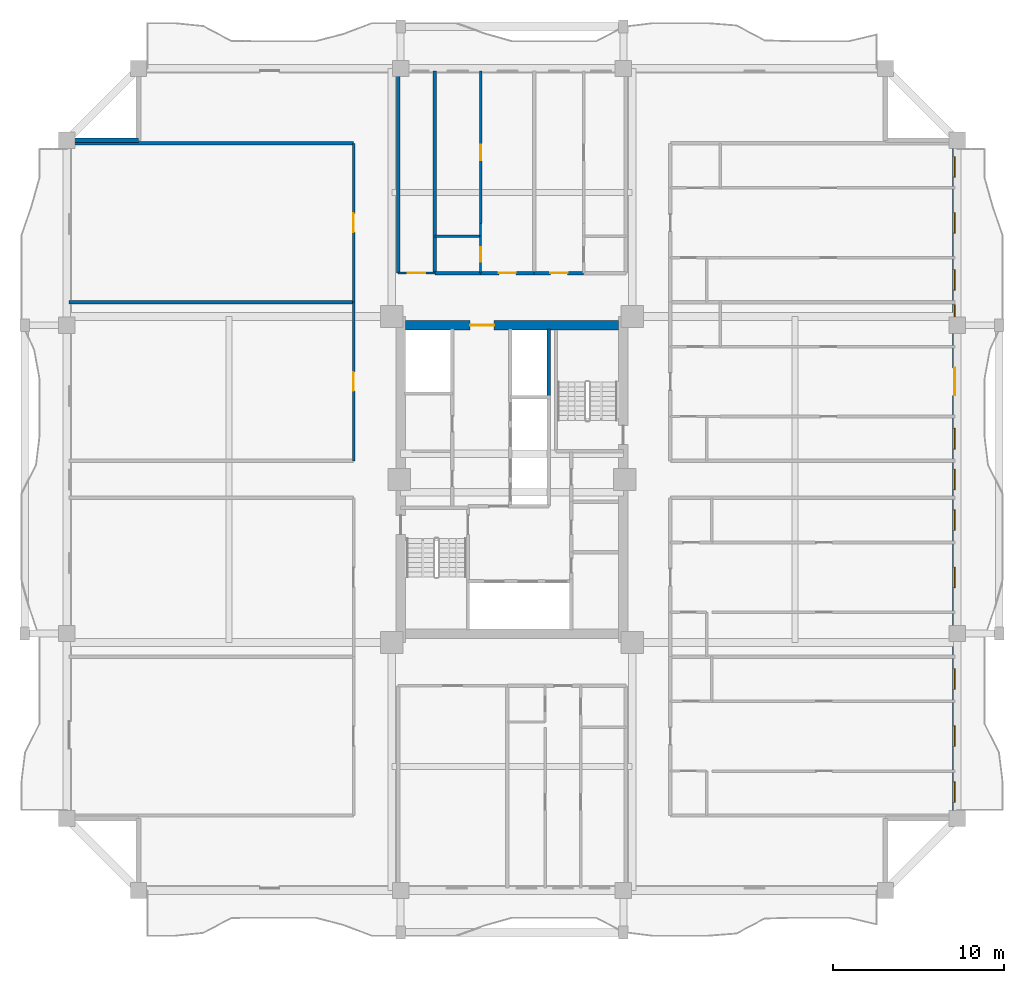
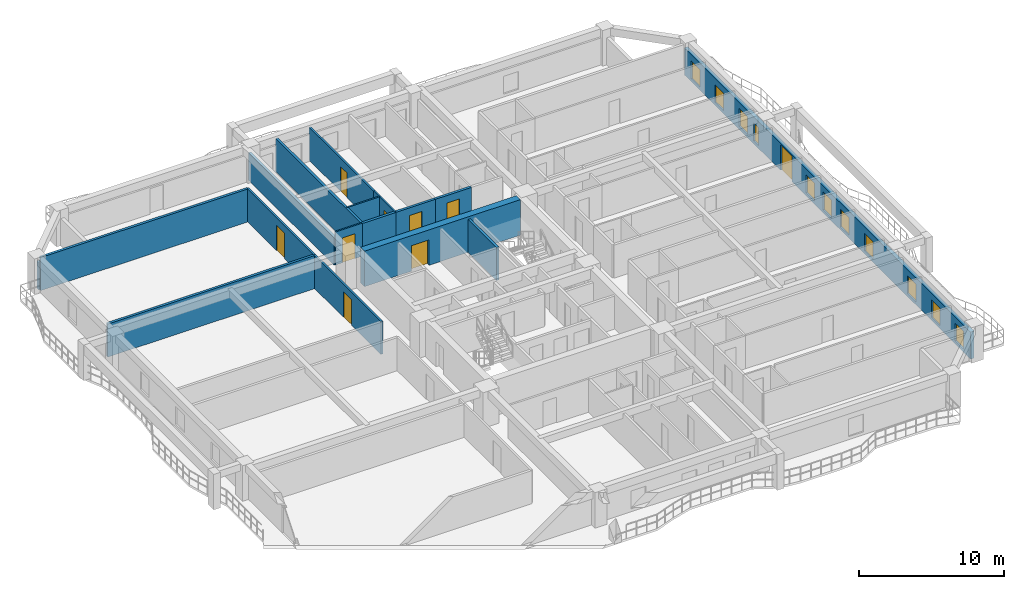
# One storey, part 5 of 12: 18 walls, 11 windows, 9 doors, 20 openings.
"""IFC4 building model written with IfcOpenShell, lengths in metres."""

from ifc_helpers import new_model, si_unit, direction, frame, frame_2d, origin, place, context, subcontext, project, spatial, rectangle, extrude, source, transform, mapped, material, layer, layer_set, type_object, element, fill, save


model = new_model("IFC4")

# Units and contexts
model_context = context("Model", 3, precision=1e-05, world=origin(), true_north=direction((0.0, 1.0)))
body_context = subcontext(model_context, "Body", "Model", "MODEL_VIEW")
ifc_project = project(units=[si_unit("LENGTHUNIT", "METRE"), si_unit("AREAUNIT", "SQUARE_METRE"), si_unit("VOLUMEUNIT", "CUBIC_METRE"), si_unit("PLANEANGLEUNIT", "RADIAN"), si_unit("MASSUNIT", "GRAM", prefix="KILO")], contexts=[model_context])

# Site, building, storey
site_placement = place(None, origin())
site = spatial("IfcSite", under=ifc_project, at=site_placement, CompositionType="ELEMENT")
building_placement = place(site_placement, origin())
building = spatial("IfcBuilding", under=site, at=building_placement, Name="Saelheon Loggia Tower", CompositionType="ELEMENT")
storey_placement = place(building_placement, frame((0.0, 0.0, 95.85009765625)))
storey = spatial("IfcBuildingStorey", under=building, at=storey_placement, Name="L30", CompositionType="ELEMENT", Elevation=95.85009765625)

# Wall, opening, door
ifc_material_1 = material(Name="Concrete C50/60", Category="concrete")
ifc_layer_1 = layer(ifc_material_1, 0.550048828125)
ifc_layer_set_1 = layer_set([ifc_layer_1], Name="Concrete C50/60")
wall_type_1 = type_object("IfcWallType", Name="Wall_CoreShear_550", PredefinedType="SHEAR", material=ifc_layer_set_1)
wall_1_placement = place(storey_placement, frame((31.77490234375, 36.0, 0.0), z_axis=(0.0, 0.0, 1.0), x_axis=(1.0, 0.0, 0.0)))
wall_1 = element("IfcWall", 1, at=wall_1_placement, inside=storey, type_object=wall_type_1, Name="L30 Core Shear Wall North", PredefinedType="SHEAR", context=body_context, shape_type="SweptSolid", body=[
    extrude(rectangle(XDim=12.4501953125, YDim=0.550048828125, at=frame_2d((6.22509765625, 0.0))), origin(), (0.0, 0.0, 1.0), 3.0),
])
opening_1_placement = place(wall_1_placement, frame((5.1748046875, 0.0, 0.0), z_axis=(0.0, 0.0, 1.0), x_axis=(-1.0, 0.0, 0.0)))
opening_1 = element("IfcOpeningElement", 2, at=opening_1_placement, cuts=wall_1, Name="Opening D-FD2L", PredefinedType="OPENING", context=body_context, shape_type="SweptSolid", body=[
    extrude(rectangle(XDim=1.39990234375, YDim=2.14990234375, at=frame_2d((0.699951171875, 1.074951171875))), frame((0.0, 0.287109375, 0.0), z_axis=(0.0, -1.0, 0.0), x_axis=(1.0, 0.0, 0.0)), (0.0, 0.0, 1.0), 0.573974609375),
])
ifc_material_2 = material(Name="Galvanised Steel Glazed Lobby Fire Door", Category="steel")
door_type_1 = type_object("IfcDoorType", Name="Door_Fire_FD60_1400", OperationType="NOTDEFINED", PredefinedType="DOOR", material=ifc_material_2)
shared_shape_1 = source(origin(), body_context, "Body", "SweptSolid", [
    extrude(rectangle(XDim=1.39990234375, YDim=2.14990234375, at=frame_2d((0.699951171875, 1.074951171875))), frame((0.0, 0.02490234375, 0.0), z_axis=(0.0, -1.0, 0.0), x_axis=(1.0, 0.0, 0.0)), (0.0, 0.0, 1.0), 0.050048828125),
])
door_1_placement = place(opening_1_placement, origin())
door_1 = element("IfcDoor", 3, at=door_1_placement, inside=storey, type_object=door_type_1, Name="L30 Passenger Lift Lobby Main Door", OperationType="SINGLE_SWING_RIGHT", OverallHeight=2.14990234375, OverallWidth=1.39990234375, PredefinedType="DOOR", context=body_context, shape_type="MappedRepresentation", body=[
    mapped(shared_shape_1, transform((0.0, 0.0, 0.0), scale=1.0)),
])
fill(opening_1, door_1)

# Wall, openings, windows, door
ifc_material_3 = material(Name="Architectural Precast Concrete C40/50", Category="concrete")
ifc_layer_2 = layer(ifc_material_3, 0.280029296875)
ifc_layer_set_2 = layer_set([ifc_layer_2], Name="Architectural Precast Concrete C40/50")
wall_type_2 = type_object("IfcWallType", Name="Wall_Ext_Loggia_280", PredefinedType="SOLIDWALL", material=ifc_layer_set_2)
wall_2_placement = place(storey_placement, frame((63.860107421875, 7.199951171875, 0.0), z_axis=(0.0, 0.0, 1.0), x_axis=(0.0, 1.0, 0.0)))
wall_2 = element("IfcWall", 4, at=wall_2_placement, inside=storey, type_object=wall_type_2, Name="L30 East Loggia Inner Wall", PredefinedType="SOLIDWALL", context=body_context, shape_type="SweptSolid", body=[
    extrude(rectangle(XDim=39.60009765625, YDim=0.280029296875, at=frame_2d((19.800048828125, 0.0))), origin(), (0.0, 0.0, 1.0), 2.27978515625),
])
opening_2_placement = place(wall_2_placement, frame((0.9453125, 0.0, 0.25)))
opening_2 = element("IfcOpeningElement", 5, at=opening_2_placement, cuts=wall_2, Name="Opening WN-03", PredefinedType="OPENING", context=body_context, shape_type="SweptSolid", body=[
    extrude(rectangle(XDim=1.199951171875, YDim=1.5, at=frame_2d((0.60009765625, 0.75))), frame((0.0, 0.152099609375, 0.0), z_axis=(0.0, -1.0, 0.0), x_axis=(1.0, 0.0, 0.0)), (0.0, 0.0, 1.0), 0.303955078125),
])
opening_3_placement = place(wall_2_placement, frame((4.212890625, 0.0, 0.25)))
opening_3 = element("IfcOpeningElement", 6, at=opening_3_placement, cuts=wall_2, Name="Opening WN-03", PredefinedType="OPENING", context=body_context, shape_type="SweptSolid", body=[
    extrude(rectangle(XDim=1.199951171875, YDim=1.5, at=frame_2d((0.60009765625, 0.75))), frame((0.0, 0.152099609375, 0.0), z_axis=(0.0, -1.0, 0.0), x_axis=(1.0, 0.0, 0.0)), (0.0, 0.0, 1.0), 0.303955078125),
])
opening_4_placement = place(wall_2_placement, frame((7.550048828125, 0.0, 0.25)))
opening_4 = element("IfcOpeningElement", 7, at=opening_4_placement, cuts=wall_2, Name="Opening WN-03", PredefinedType="OPENING", context=body_context, shape_type="SweptSolid", body=[
    extrude(rectangle(XDim=1.199951171875, YDim=1.5, at=frame_2d((0.60009765625, 0.75))), frame((0.0, 0.152099609375, 0.0), z_axis=(0.0, -1.0, 0.0), x_axis=(1.0, 0.0, 0.0)), (0.0, 0.0, 1.0), 0.303955078125),
])
opening_5_placement = place(wall_2_placement, frame((13.48291015625, 0.0, 0.25)))
opening_5 = element("IfcOpeningElement", 8, at=opening_5_placement, cuts=wall_2, Name="Opening WN-03", PredefinedType="OPENING", context=body_context, shape_type="SweptSolid", body=[
    extrude(rectangle(XDim=1.199951171875, YDim=1.5, at=frame_2d((0.60009765625, 0.75))), frame((0.0, 0.152099609375, 0.0), z_axis=(0.0, -1.0, 0.0), x_axis=(1.0, 0.0, 0.0)), (0.0, 0.0, 1.0), 0.303955078125),
])
opening_6_placement = place(wall_2_placement, frame((16.820068359375, 0.0, 0.25)))
opening_6 = element("IfcOpeningElement", 9, at=opening_6_placement, cuts=wall_2, Name="Opening WN-03", PredefinedType="OPENING", context=body_context, shape_type="SweptSolid", body=[
    extrude(rectangle(XDim=1.199951171875, YDim=1.5, at=frame_2d((0.60009765625, 0.75))), frame((0.0, 0.152099609375, 0.0), z_axis=(0.0, -1.0, 0.0), x_axis=(1.0, 0.0, 0.0)), (0.0, 0.0, 1.0), 0.303955078125),
])
opening_7_placement = place(wall_2_placement, frame((19.199951171875, 0.0, 0.25)))
opening_7 = element("IfcOpeningElement", 10, at=opening_7_placement, cuts=wall_2, Name="Opening WN-03", PredefinedType="OPENING", context=body_context, shape_type="SweptSolid", body=[
    extrude(rectangle(XDim=1.199951171875, YDim=1.5, at=frame_2d((0.60009765625, 0.75))), frame((0.0, 0.152099609375, 0.0), z_axis=(0.0, -1.0, 0.0), x_axis=(1.0, 0.0, 0.0)), (0.0, 0.0, 1.0), 0.303955078125),
])
opening_8_placement = place(wall_2_placement, frame((21.577880859375, 0.0, 0.25)))
opening_8 = element("IfcOpeningElement", 11, at=opening_8_placement, cuts=wall_2, Name="Opening WN-03", PredefinedType="OPENING", context=body_context, shape_type="SweptSolid", body=[
    extrude(rectangle(XDim=1.199951171875, YDim=1.5, at=frame_2d((0.60009765625, 0.75))), frame((0.0, 0.152099609375, 0.0), z_axis=(0.0, -1.0, 0.0), x_axis=(1.0, 0.0, 0.0)), (0.0, 0.0, 1.0), 0.303955078125),
])
opening_9_placement = place(wall_2_placement, frame((26.31298828125, 0.0, 0.0), z_axis=(0.0, 0.0, 1.0), x_axis=(-1.0, 0.0, 0.0)))
opening_9 = element("IfcOpeningElement", 12, at=opening_9_placement, cuts=wall_2, Name="Opening DLG-1", PredefinedType="OPENING", context=body_context, shape_type="SweptSolid", body=[
    extrude(rectangle(XDim=1.60009765625, YDim=2.14990234375, at=frame_2d((0.800048828125, 1.074951171875))), frame((0.0, 0.152099609375, 0.0), z_axis=(0.0, -1.0, 0.0), x_axis=(1.0, 0.0, 0.0)), (0.0, 0.0, 1.0), 0.303955078125),
])
opening_10_placement = place(wall_2_placement, frame((29.304931640625, 0.0, 0.25)))
opening_10 = element("IfcOpeningElement", 13, at=opening_10_placement, cuts=wall_2, Name="Opening WN-06", PredefinedType="OPENING", context=body_context, shape_type="SweptSolid", body=[
    extrude(rectangle(XDim=0.699951171875, YDim=1.5, at=frame_2d((0.35009765625, 0.75))), frame((0.0, 0.152099609375, 0.0), z_axis=(0.0, -1.0, 0.0), x_axis=(1.0, 0.0, 0.0)), (0.0, 0.0, 1.0), 0.303955078125),
])
opening_11_placement = place(wall_2_placement, frame((30.847900390625, 0.0, 0.25)))
opening_11 = element("IfcOpeningElement", 14, at=opening_11_placement, cuts=wall_2, Name="Opening WN-03", PredefinedType="OPENING", context=body_context, shape_type="SweptSolid", body=[
    extrude(rectangle(XDim=1.199951171875, YDim=1.5, at=frame_2d((0.60009765625, 0.75))), frame((0.0, 0.152099609375, 0.0), z_axis=(0.0, -1.0, 0.0), x_axis=(1.0, 0.0, 0.0)), (0.0, 0.0, 1.0), 0.303955078125),
])
opening_12_placement = place(wall_2_placement, frame((34.182861328125, 0.0, 0.25)))
opening_12 = element("IfcOpeningElement", 15, at=opening_12_placement, cuts=wall_2, Name="Opening WN-03", PredefinedType="OPENING", context=body_context, shape_type="SweptSolid", body=[
    extrude(rectangle(XDim=1.199951171875, YDim=1.5, at=frame_2d((0.60009765625, 0.75))), frame((0.0, 0.152099609375, 0.0), z_axis=(0.0, -1.0, 0.0), x_axis=(1.0, 0.0, 0.0)), (0.0, 0.0, 1.0), 0.303955078125),
])
opening_13_placement = place(wall_2_placement, frame((37.452392578125, 0.0, 0.25)))
opening_13 = element("IfcOpeningElement", 16, at=opening_13_placement, cuts=wall_2, Name="Opening WN-03", PredefinedType="OPENING", context=body_context, shape_type="SweptSolid", body=[
    extrude(rectangle(XDim=1.199951171875, YDim=1.5, at=frame_2d((0.60009765625, 0.75))), frame((0.0, 0.152099609375, 0.0), z_axis=(0.0, -1.0, 0.0), x_axis=(1.0, 0.0, 0.0)), (0.0, 0.0, 1.0), 0.303955078125),
])
ifc_material_4 = material(Name="Thermal-Break Aluminium and Triple Low-E Glass", Category="aluminium")
window_type_1 = type_object("IfcWindowType", Name="Win_Slot_700x1500", PartitioningType="SINGLE_PANEL", PredefinedType="WINDOW", material=ifc_material_4)
shared_shape_2 = source(origin(), body_context, "Body", "SweptSolid", [
    extrude(rectangle(XDim=0.699951171875, YDim=1.5, at=frame_2d((0.35009765625, 0.75))), frame((0.0, 0.030029296875, 0.0), z_axis=(0.0, -1.0, 0.0), x_axis=(1.0, 0.0, 0.0)), (0.0, 0.0, 1.0), 0.06005859375),
])
window_1_placement = place(opening_10_placement, origin())
window_1 = element("IfcWindow", 17, at=window_1_placement, inside=storey, type_object=window_type_1, Name="L30 E Dwelling Window 9", OverallHeight=1.5, OverallWidth=0.699951171875, PartitioningType="SINGLE_PANEL", PredefinedType="WINDOW", context=body_context, shape_type="MappedRepresentation", body=[
    mapped(shared_shape_2, transform((0.0, 0.0, 0.0), scale=1.0)),
])
fill(opening_10, window_1)
window_type_2 = type_object("IfcWindowType", Name="Win_Bedroom_1200x1500", PartitioningType="SINGLE_PANEL", PredefinedType="WINDOW", material=ifc_material_4)
shared_shape_3 = source(origin(), body_context, "Body", "SweptSolid", [
    extrude(rectangle(XDim=1.199951171875, YDim=1.5, at=frame_2d((0.60009765625, 0.75))), frame((0.0, 0.030029296875, 0.0), z_axis=(0.0, -1.0, 0.0), x_axis=(1.0, 0.0, 0.0)), (0.0, 0.0, 1.0), 0.06005859375),
])
window_2_placement = place(opening_2_placement, origin())
window_2 = element("IfcWindow", 18, at=window_2_placement, inside=storey, type_object=window_type_2, Name="L30 E Dwelling Window 1", OverallHeight=1.5, OverallWidth=1.199951171875, PartitioningType="SINGLE_PANEL", PredefinedType="WINDOW", context=body_context, shape_type="MappedRepresentation", body=[
    mapped(shared_shape_3, transform((0.0, 0.0, 0.0), scale=1.0)),
])
fill(opening_2, window_2)
window_3_placement = place(opening_3_placement, origin())
window_3 = element("IfcWindow", 19, at=window_3_placement, inside=storey, type_object=window_type_2, Name="L30 E Dwelling Window 2", OverallHeight=1.5, OverallWidth=1.199951171875, PartitioningType="SINGLE_PANEL", PredefinedType="WINDOW", context=body_context, shape_type="MappedRepresentation", body=[
    mapped(shared_shape_3, transform((0.0, 0.0, 0.0), scale=1.0)),
])
fill(opening_3, window_3)
window_4_placement = place(opening_4_placement, origin())
window_4 = element("IfcWindow", 20, at=window_4_placement, inside=storey, type_object=window_type_2, Name="L30 E Dwelling Window 3", OverallHeight=1.5, OverallWidth=1.199951171875, PartitioningType="SINGLE_PANEL", PredefinedType="WINDOW", context=body_context, shape_type="MappedRepresentation", body=[
    mapped(shared_shape_3, transform((0.0, 0.0, 0.0), scale=1.0)),
])
fill(opening_4, window_4)
window_5_placement = place(opening_5_placement, origin())
window_5 = element("IfcWindow", 21, at=window_5_placement, inside=storey, type_object=window_type_2, Name="L30 E Dwelling Window 4", OverallHeight=1.5, OverallWidth=1.199951171875, PartitioningType="SINGLE_PANEL", PredefinedType="WINDOW", context=body_context, shape_type="MappedRepresentation", body=[
    mapped(shared_shape_3, transform((0.0, 0.0, 0.0), scale=1.0)),
])
fill(opening_5, window_5)
window_6_placement = place(opening_6_placement, origin())
window_6 = element("IfcWindow", 22, at=window_6_placement, inside=storey, type_object=window_type_2, Name="L30 E Dwelling Window 5", OverallHeight=1.5, OverallWidth=1.199951171875, PartitioningType="SINGLE_PANEL", PredefinedType="WINDOW", context=body_context, shape_type="MappedRepresentation", body=[
    mapped(shared_shape_3, transform((0.0, 0.0, 0.0), scale=1.0)),
])
fill(opening_6, window_6)
window_7_placement = place(opening_7_placement, origin())
window_7 = element("IfcWindow", 23, at=window_7_placement, inside=storey, type_object=window_type_2, Name="L30 E Dwelling Window 6", OverallHeight=1.5, OverallWidth=1.199951171875, PartitioningType="SINGLE_PANEL", PredefinedType="WINDOW", context=body_context, shape_type="MappedRepresentation", body=[
    mapped(shared_shape_3, transform((0.0, 0.0, 0.0), scale=1.0)),
])
fill(opening_7, window_7)
window_8_placement = place(opening_8_placement, origin())
window_8 = element("IfcWindow", 24, at=window_8_placement, inside=storey, type_object=window_type_2, Name="L30 E Dwelling Window 7", OverallHeight=1.5, OverallWidth=1.199951171875, PartitioningType="SINGLE_PANEL", PredefinedType="WINDOW", context=body_context, shape_type="MappedRepresentation", body=[
    mapped(shared_shape_3, transform((0.0, 0.0, 0.0), scale=1.0)),
])
fill(opening_8, window_8)
window_9_placement = place(opening_11_placement, origin())
window_9 = element("IfcWindow", 25, at=window_9_placement, inside=storey, type_object=window_type_2, Name="L30 E Dwelling Window 10", OverallHeight=1.5, OverallWidth=1.199951171875, PartitioningType="SINGLE_PANEL", PredefinedType="WINDOW", context=body_context, shape_type="MappedRepresentation", body=[
    mapped(shared_shape_3, transform((0.0, 0.0, 0.0), scale=1.0)),
])
fill(opening_11, window_9)
window_10_placement = place(opening_12_placement, origin())
window_10 = element("IfcWindow", 26, at=window_10_placement, inside=storey, type_object=window_type_2, Name="L30 E Dwelling Window 11", OverallHeight=1.5, OverallWidth=1.199951171875, PartitioningType="SINGLE_PANEL", PredefinedType="WINDOW", context=body_context, shape_type="MappedRepresentation", body=[
    mapped(shared_shape_3, transform((0.0, 0.0, 0.0), scale=1.0)),
])
fill(opening_12, window_10)
window_11_placement = place(opening_13_placement, origin())
window_11 = element("IfcWindow", 27, at=window_11_placement, inside=storey, type_object=window_type_2, Name="L30 E Dwelling Window 12", OverallHeight=1.5, OverallWidth=1.199951171875, PartitioningType="SINGLE_PANEL", PredefinedType="WINDOW", context=body_context, shape_type="MappedRepresentation", body=[
    mapped(shared_shape_3, transform((0.0, 0.0, 0.0), scale=1.0)),
])
fill(opening_13, window_11)
ifc_material_5 = material(Name="Thermal-Break Aluminium Sliding Glazed Door", Category="aluminium")
door_type_2 = type_object("IfcDoorType", Name="Door_LoggiaSlide_1600", OperationType="SLIDING_TO_LEFT", PredefinedType="DOOR", material=ifc_material_5)
shared_shape_4 = source(origin(), body_context, "Body", "SweptSolid", [
    extrude(rectangle(XDim=1.60009765625, YDim=2.14990234375, at=frame_2d((0.800048828125, 1.074951171875))), frame((0.0, 0.02490234375, 0.0), z_axis=(0.0, -1.0, 0.0), x_axis=(1.0, 0.0, 0.0)), (0.0, 0.0, 1.0), 0.050048828125),
])
door_2_placement = place(opening_9_placement, origin())
door_2 = element("IfcDoor", 28, at=door_2_placement, inside=storey, type_object=door_type_2, Name="L30 E Loggia Access Door", OperationType="SLIDING_TO_LEFT", OverallHeight=2.14990234375, OverallWidth=1.60009765625, PredefinedType="DOOR", context=body_context, shape_type="MappedRepresentation", body=[
    mapped(shared_shape_4, transform((0.0, 0.0, 0.0), scale=1.0)),
])
fill(opening_9, door_2)

# Wall
wall_3_placement = place(storey_placement, frame((12.080078125, 46.800048828125, 0.0), z_axis=(0.0, 0.0, 1.0), x_axis=(1.0, 0.0, 0.0)))
element("IfcWall", 29, at=wall_3_placement, inside=storey, type_object=wall_type_2, Name="L30 Corner Notch Precast Wall NW2", PredefinedType="SOLIDWALL", context=body_context, shape_type="SweptSolid", body=[
    extrude(rectangle(XDim=4.119873046875, YDim=0.280029296875, at=frame_2d((2.06005859375, 0.0))), origin(), (0.0, 0.0, 1.0), 2.27978515625),
])

# Wall, opening, door
ifc_material_6 = material(Name="Lightweight Autoclaved Aerated Concrete Block and Acoustic Gypsum", Category="concrete")
ifc_layer_3 = layer(ifc_material_6, 0.14990234375)
ifc_layer_set_3 = layer_set([ifc_layer_3], Name="Lightweight Autoclaved Aerated Concrete Block and Acoustic Gypsum")
wall_type_3 = type_object("IfcWallType", Name="Wall_Part_150", PredefinedType="PARTITIONING", material=ifc_layer_set_3)
wall_4_placement = place(storey_placement, frame((36.1669921875, 41.949951171875, 0.0), z_axis=(0.0, 0.0, 1.0), x_axis=(0.0, 1.0, 0.0)))
wall_4 = element("IfcWall", 30, at=wall_4_placement, inside=storey, type_object=wall_type_3, Name="L30 N Partition U10", PredefinedType="PARTITIONING", context=body_context, shape_type="SweptSolid", body=[
    extrude(rectangle(XDim=8.900146484375, YDim=0.14990234375, at=frame_2d((4.4501953125, 0.0))), origin(), (0.0, 0.0, 1.0), 2.789794921875),
])
opening_14_placement = place(wall_4_placement, frame((3.686767578125, 0.0, 0.0)))
opening_14 = element("IfcOpeningElement", 31, at=opening_14_placement, cuts=wall_4, Name="Opening D-IN2", PredefinedType="OPENING", context=body_context, shape_type="SweptSolid", body=[
    extrude(rectangle(XDim=0.89990234375, YDim=2.10009765625, at=frame_2d((0.449951171875, 1.050048828125))), frame((0.0, 0.0869140625, 0.0), z_axis=(0.0, -1.0, 0.0), x_axis=(1.0, 0.0, 0.0)), (0.0, 0.0, 1.0), 0.173828125),
])
ifc_material_7 = material(Name="Engineered Oak Flush Door", Category="timber")
door_type_3 = type_object("IfcDoorType", Name="Door_Int_900", OperationType="NOTDEFINED", PredefinedType="DOOR", material=ifc_material_7)
shared_shape_5 = source(origin(), body_context, "Body", "SweptSolid", [
    extrude(rectangle(XDim=0.89990234375, YDim=2.10009765625, at=frame_2d((0.449951171875, 1.050048828125))), frame((0.0, 0.02490234375, 0.0), z_axis=(0.0, -1.0, 0.0), x_axis=(1.0, 0.0, 0.0)), (0.0, 0.0, 1.0), 0.050048828125),
])
door_3_placement = place(opening_14_placement, origin())
door_3 = element("IfcDoor", 32, at=door_3_placement, inside=storey, type_object=door_type_3, Name="Unit U02 Kitchen Door", OperationType="SINGLE_SWING_RIGHT", OverallHeight=2.10009765625, OverallWidth=0.89990234375, PredefinedType="DOOR", context=body_context, shape_type="MappedRepresentation", body=[
    mapped(shared_shape_5, transform((0.0, 0.0, 0.0), scale=1.0)),
])
fill(opening_14, door_3)

wall_5_placement = place(storey_placement, frame((28.75, 28.080078125, 0.0), z_axis=(0.0, 0.0, 1.0), x_axis=(0.0, 1.0, 0.0)))
wall_5 = element("IfcWall", 33, at=wall_5_placement, inside=storey, type_object=wall_type_3, Name="L30 WN Partition V03", PredefinedType="PARTITIONING", context=body_context, shape_type="SweptSolid", body=[
    extrude(rectangle(XDim=9.27001953125, YDim=0.14990234375, at=frame_2d((4.635009765625, 0.0))), origin(), (0.0, 0.0, 1.0), 2.789794921875),
])
opening_15_placement = place(wall_5_placement, frame((4.0849609375, 0.0, 0.0)))
opening_15 = element("IfcOpeningElement", 34, at=opening_15_placement, cuts=wall_5, Name="Opening D-FD2", PredefinedType="OPENING", context=body_context, shape_type="SweptSolid", body=[
    extrude(rectangle(XDim=1.10009765625, YDim=2.14990234375, at=frame_2d((0.550048828125, 1.074951171875))), frame((0.0, 0.0869140625, 0.0), z_axis=(0.0, -1.0, 0.0), x_axis=(1.0, 0.0, 0.0)), (0.0, 0.0, 1.0), 0.173828125),
])
ifc_material_8 = material(Name="Galvanised Steel Fire Door", Category="steel")
door_type_4 = type_object("IfcDoorType", Name="Door_Fire_FD60_1100", OperationType="NOTDEFINED", PredefinedType="DOOR", material=ifc_material_8)
shared_shape_6 = source(origin(), body_context, "Body", "SweptSolid", [
    extrude(rectangle(XDim=1.10009765625, YDim=2.14990234375, at=frame_2d((0.550048828125, 1.074951171875))), frame((0.0, 0.02490234375, 0.0), z_axis=(0.0, -1.0, 0.0), x_axis=(1.0, 0.0, 0.0)), (0.0, 0.0, 1.0), 0.050048828125),
])
door_4_placement = place(opening_15_placement, origin())
door_4 = element("IfcDoor", 35, at=door_4_placement, inside=storey, type_object=door_type_4, Name="L30 Resident Seminar and Study Hall Door A", OperationType="SINGLE_SWING_RIGHT", OverallHeight=2.14990234375, OverallWidth=1.10009765625, PredefinedType="DOOR", context=body_context, shape_type="MappedRepresentation", body=[
    mapped(shared_shape_6, transform((0.0, 0.0, 0.0), scale=1.0)),
])
fill(opening_15, door_4)

wall_6_placement = place(storey_placement, frame((28.75, 37.35009765625, 0.0), z_axis=(0.0, 0.0, 1.0), x_axis=(0.0, 1.0, 0.0)))
wall_6 = element("IfcWall", 36, at=wall_6_placement, inside=storey, type_object=wall_type_3, Name="L30 WN Partition V05", PredefinedType="PARTITIONING", context=body_context, shape_type="SweptSolid", body=[
    extrude(rectangle(XDim=9.27001953125, YDim=0.14990234375, at=frame_2d((4.635009765625, 0.0))), origin(), (0.0, 0.0, 1.0), 2.789794921875),
])
opening_16_placement = place(wall_6_placement, frame((4.0849609375, 0.0, 0.0)))
opening_16 = element("IfcOpeningElement", 37, at=opening_16_placement, cuts=wall_6, Name="Opening D-FD2", PredefinedType="OPENING", context=body_context, shape_type="SweptSolid", body=[
    extrude(rectangle(XDim=1.10009765625, YDim=2.14990234375, at=frame_2d((0.550048828125, 1.074951171875))), frame((0.0, 0.0869140625, 0.0), z_axis=(0.0, -1.0, 0.0), x_axis=(1.0, 0.0, 0.0)), (0.0, 0.0, 1.0), 0.173828125),
])
door_5_placement = place(opening_16_placement, origin())
door_5 = element("IfcDoor", 38, at=door_5_placement, inside=storey, type_object=door_type_4, Name="L30 Resident Seminar and Study Hall Door A", OperationType="SINGLE_SWING_LEFT", OverallHeight=2.14990234375, OverallWidth=1.10009765625, PredefinedType="DOOR", context=body_context, shape_type="MappedRepresentation", body=[
    mapped(shared_shape_6, transform((0.0, 0.0, 0.0), scale=1.0)),
])
fill(opening_16, door_5)

# Walls
ifc_material_9 = material(Name="Double Acoustic Stud and Fireboard Partition", Category="gypsum")
ifc_layer_4 = layer(ifc_material_9, 0.199951171875)
ifc_layer_set_4 = layer_set([ifc_layer_4], Name="Double Acoustic Stud and Fireboard Partition")
wall_type_4 = type_object("IfcWallType", Name="Wall_Party_200", PredefinedType="PARTITIONING", material=ifc_layer_set_4)
wall_7_placement = place(storey_placement, frame((31.35009765625, 39.050048828125, 0.0), z_axis=(0.0, 0.0, 1.0), x_axis=(0.0, 1.0, 0.0)))
element("IfcWall", 39, at=wall_7_placement, inside=storey, type_object=wall_type_4, Name="L30 N Partition U01", PredefinedType="PARTITIONING", context=body_context, shape_type="SweptSolid", body=[
    extrude(rectangle(XDim=11.800048828125, YDim=0.199951171875, at=frame_2d((5.89990234375, 0.0))), origin(), (0.0, 0.0, 1.0), 2.33984375),
])
wall_8_placement = place(storey_placement, frame((33.5, 39.050048828125, 0.0), z_axis=(0.0, 0.0, 1.0), x_axis=(0.0, 1.0, 0.0)))
element("IfcWall", 40, at=wall_8_placement, inside=storey, type_object=wall_type_4, Name="L30 N Partition U03", PredefinedType="PARTITIONING", context=body_context, shape_type="SweptSolid", body=[
    extrude(rectangle(XDim=11.800048828125, YDim=0.199951171875, at=frame_2d((5.89990234375, 0.0))), origin(), (0.0, 0.0, 1.0), 2.789794921875),
])
wall_9_placement = place(storey_placement, frame((33.5, 39.050048828125, 0.0), z_axis=(0.0, 0.0, 1.0), x_axis=(1.0, 0.0, 0.0)))
element("IfcWall", 41, at=wall_9_placement, inside=storey, type_object=wall_type_4, Name="L30 N Partition V05", PredefinedType="PARTITIONING", context=body_context, shape_type="SweptSolid", body=[
    extrude(rectangle(XDim=2.6669921875, YDim=0.199951171875, at=frame_2d((1.33349609375, 0.0))), origin(), (0.0, 0.0, 1.0), 2.789794921875),
])

# Wall, opening, door
wall_10_placement = place(storey_placement, frame((36.1669921875, 39.050048828125, 0.0), z_axis=(0.0, 0.0, 1.0), x_axis=(1.0, 0.0, 0.0)))
wall_10 = element("IfcWall", 42, at=wall_10_placement, inside=storey, type_object=wall_type_4, Name="L30 N Partition V06", PredefinedType="PARTITIONING", context=body_context, shape_type="SweptSolid", body=[
    extrude(rectangle(XDim=3.131103515625, YDim=0.199951171875, at=frame_2d((1.5654296875, 0.0))), origin(), (0.0, 0.0, 1.0), 2.789794921875),
])
opening_17_placement = place(wall_10_placement, frame((1.0654296875, 0.0, 0.0)))
opening_17 = element("IfcOpeningElement", 43, at=opening_17_placement, cuts=wall_10, Name="Opening D-FD1", PredefinedType="OPENING", context=body_context, shape_type="SweptSolid", body=[
    extrude(rectangle(XDim=1.0, YDim=2.14990234375, at=frame_2d((0.5, 1.074951171875))), frame((0.0, 0.112060546875, 0.0), z_axis=(0.0, -1.0, 0.0), x_axis=(1.0, 0.0, 0.0)), (0.0, 0.0, 1.0), 0.223876953125),
])
ifc_material_10 = material(Name="Fire-Rated Engineered Timber Entrance Door", Category="wood")
door_type_5 = type_object("IfcDoorType", Name="Door_Flat_FD30S", OperationType="NOTDEFINED", PredefinedType="DOOR", material=ifc_material_10)
shared_shape_7 = source(origin(), body_context, "Body", "SweptSolid", [
    extrude(rectangle(XDim=1.0, YDim=2.14990234375, at=frame_2d((0.5, 1.074951171875))), frame((0.0, 0.02490234375, 0.0), z_axis=(0.0, -1.0, 0.0), x_axis=(1.0, 0.0, 0.0)), (0.0, 0.0, 1.0), 0.050048828125),
])
door_6_placement = place(opening_17_placement, origin())
door_6 = element("IfcDoor", 44, at=door_6_placement, inside=storey, type_object=door_type_5, Name="Unit U02 Entrance Door", OperationType="SINGLE_SWING_RIGHT", OverallHeight=2.14990234375, OverallWidth=1.0, PredefinedType="DOOR", context=body_context, shape_type="MappedRepresentation", body=[
    mapped(shared_shape_7, transform((0.0, 0.0, 0.0), scale=1.0)),
])
fill(opening_17, door_6)

wall_11_placement = place(storey_placement, frame((39.298095703125, 39.050048828125, 0.0), z_axis=(0.0, 0.0, 1.0), x_axis=(1.0, 0.0, 0.0)))
wall_11 = element("IfcWall", 45, at=wall_11_placement, inside=storey, type_object=wall_type_4, Name="L30 N Partition V12", PredefinedType="PARTITIONING", context=body_context, shape_type="SweptSolid", body=[
    extrude(rectangle(XDim=2.889892578125, YDim=0.199951171875, at=frame_2d((1.44482421875, 0.0))), origin(), (0.0, 0.0, 1.0), 2.789794921875),
])
opening_18_placement = place(wall_11_placement, frame((0.945068359375, 0.0, 0.0)))
opening_18 = element("IfcOpeningElement", 46, at=opening_18_placement, cuts=wall_11, Name="Opening D-FD1", PredefinedType="OPENING", context=body_context, shape_type="SweptSolid", body=[
    extrude(rectangle(XDim=1.0, YDim=2.14990234375, at=frame_2d((0.5, 1.074951171875))), frame((0.0, 0.112060546875, 0.0), z_axis=(0.0, -1.0, 0.0), x_axis=(1.0, 0.0, 0.0)), (0.0, 0.0, 1.0), 0.223876953125),
])
door_7_placement = place(opening_18_placement, origin())
door_7 = element("IfcDoor", 47, at=door_7_placement, inside=storey, type_object=door_type_5, Name="Unit U03 Entrance Door", OperationType="SINGLE_SWING_LEFT", OverallHeight=2.14990234375, OverallWidth=1.0, PredefinedType="DOOR", context=body_context, shape_type="MappedRepresentation", body=[
    mapped(shared_shape_7, transform((0.0, 0.0, 0.0), scale=1.0)),
])
fill(opening_18, door_7)

# Walls
for number, where, z_axis, x_axis, name in (
    (48, (28.75, 46.6201171875, 0.0), (0.0, 0.0, 1.0), (-1.0, 0.0, 0.0), "L30 WN Partition U02"),
    (49, (28.75, 37.35009765625, 0.0), (0.0, 0.0, 1.0), (-1.0, 0.0, 0.0), "L30 WN Partition U04"),
):
    element("IfcWall", number, at=place(storey_placement, frame(where, z_axis=z_axis, x_axis=x_axis)), inside=storey, type_object=wall_type_4, Name=name, PredefinedType="PARTITIONING", context=body_context, shape_type="SweptSolid", body=[
        extrude(rectangle(XDim=16.60009765625, YDim=0.199951171875, at=frame_2d((8.300048828125, 0.0))), origin(), (0.0, 0.0, 1.0), 2.789794921875),
    ])
ifc_material_11 = material(Name="Concrete C40/50", Category="concrete")
ifc_layer_5 = layer(ifc_material_11, 0.199951171875)
ifc_layer_set_5 = layer_set([ifc_layer_5], Name="Concrete C40/50")
wall_type_5 = type_object("IfcWallType", Name="Wall_Shaft_200", PredefinedType="PARTITIONING", material=ifc_layer_set_5)
wall_12_placement = place(storey_placement, frame((40.14990234375, 31.800048828125, 0.0), z_axis=(0.0, 0.0, 1.0), x_axis=(0.0, 1.0, 0.0)))
element("IfcWall", 50, at=wall_12_placement, inside=storey, type_object=wall_type_5, Name="L30 East High-Rise Hoistway East Wall", PredefinedType="PARTITIONING", context=body_context, shape_type="SweptSolid", body=[
    extrude(rectangle(XDim=3.97998046875, YDim=0.199951171875, at=frame_2d((1.989990234375, 0.0))), origin(), (0.0, 0.0, 1.0), 2.789794921875),
])

# Wall, opening, door
ifc_material_12 = material(Name="Moisture-Resistant Cement Board Partition", Category="gypsum")
ifc_layer_6 = layer(ifc_material_12, 0.1201171875)
ifc_layer_set_6 = layer_set([ifc_layer_6], Name="Moisture-Resistant Cement Board Partition")
wall_type_6 = type_object("IfcWallType", Name="Wall_WetPart_120", PredefinedType="PARTITIONING", material=ifc_layer_set_6)
wall_13_placement = place(storey_placement, frame((31.35009765625, 39.050048828125, 0.0), z_axis=(0.0, 0.0, 1.0), x_axis=(1.0, 0.0, 0.0)))
wall_13 = element("IfcWall", 51, at=wall_13_placement, inside=storey, type_object=wall_type_6, Name="L30 N Partition V04", PredefinedType="PARTITIONING", context=body_context, shape_type="SweptSolid", body=[
    extrude(rectangle(XDim=2.14990234375, YDim=0.1201171875, at=frame_2d((1.074951171875, 0.0))), origin(), (0.0, 0.0, 1.0), 2.789794921875),
])
opening_19_placement = place(wall_13_placement, frame((0.574951171875, 0.0, 0.0)))
opening_19 = element("IfcOpeningElement", 52, at=opening_19_placement, cuts=wall_13, Name="Opening D-AC1", PredefinedType="OPENING", context=body_context, shape_type="SweptSolid", body=[
    extrude(rectangle(XDim=1.0, YDim=2.10009765625, at=frame_2d((0.5, 1.050048828125))), frame((0.0, 0.072021484375, 0.0), z_axis=(0.0, -1.0, 0.0), x_axis=(1.0, 0.0, 0.0)), (0.0, 0.0, 1.0), 0.14404296875),
])
ifc_material_13 = material(Name="Accessible Laminate Flush Door", Category="timber")
door_type_6 = type_object("IfcDoorType", Name="Door_Acc_1000", OperationType="NOTDEFINED", PredefinedType="DOOR", material=ifc_material_13)
shared_shape_8 = source(origin(), body_context, "Body", "SweptSolid", [
    extrude(rectangle(XDim=1.0, YDim=2.10009765625, at=frame_2d((0.5, 1.050048828125))), frame((0.0, 0.02490234375, 0.0), z_axis=(0.0, -1.0, 0.0), x_axis=(1.0, 0.0, 0.0)), (0.0, 0.0, 1.0), 0.050048828125),
])
door_8_placement = place(opening_19_placement, origin())
door_8 = element("IfcDoor", 53, at=door_8_placement, inside=storey, type_object=door_type_6, Name="L30 Floor Accessible WC Door", OperationType="SINGLE_SWING_LEFT", OverallHeight=2.10009765625, OverallWidth=1.0, PredefinedType="DOOR", context=body_context, shape_type="MappedRepresentation", body=[
    mapped(shared_shape_8, transform((0.0, 0.0, 0.0), scale=1.0)),
])
fill(opening_19, door_8)

wall_14_placement = place(storey_placement, frame((36.1669921875, 39.050048828125, 0.0), z_axis=(0.0, 0.0, 1.0), x_axis=(0.0, 1.0, 0.0)))
wall_14 = element("IfcWall", 54, at=wall_14_placement, inside=storey, type_object=wall_type_6, Name="L30 N Partition U07", PredefinedType="PARTITIONING", context=body_context, shape_type="SweptSolid", body=[
    extrude(rectangle(XDim=2.14990234375, YDim=0.1201171875, at=frame_2d((1.074951171875, 0.0))), origin(), (0.0, 0.0, 1.0), 2.789794921875),
])
opening_20_placement = place(wall_14_placement, frame((0.64990234375, 0.0, 0.0)))
opening_20 = element("IfcOpeningElement", 55, at=opening_20_placement, cuts=wall_14, Name="Opening D-BT1", PredefinedType="OPENING", context=body_context, shape_type="SweptSolid", body=[
    extrude(rectangle(XDim=0.85009765625, YDim=2.050048828125, at=frame_2d((0.425048828125, 1.02490234375))), frame((0.0, 0.072021484375, 0.0), z_axis=(0.0, -1.0, 0.0), x_axis=(1.0, 0.0, 0.0)), (0.0, 0.0, 1.0), 0.14404296875),
])
ifc_material_14 = material(Name="Moisture-Resistant Laminate Timber Door", Category="wood")
door_type_7 = type_object("IfcDoorType", Name="Door_Bath_850", OperationType="NOTDEFINED", PredefinedType="DOOR", material=ifc_material_14)
shared_shape_9 = source(origin(), body_context, "Body", "SweptSolid", [
    extrude(rectangle(XDim=0.85009765625, YDim=2.050048828125, at=frame_2d((0.425048828125, 1.02490234375))), frame((0.0, 0.02490234375, 0.0), z_axis=(0.0, -1.0, 0.0), x_axis=(1.0, 0.0, 0.0)), (0.0, 0.0, 1.0), 0.050048828125),
])
door_9_placement = place(opening_20_placement, origin())
door_9 = element("IfcDoor", 56, at=door_9_placement, inside=storey, type_object=door_type_7, Name="Unit U02 Bathroom Door", OperationType="SINGLE_SWING_LEFT", OverallHeight=2.050048828125, OverallWidth=0.85009765625, PredefinedType="DOOR", context=body_context, shape_type="MappedRepresentation", body=[
    mapped(shared_shape_9, transform((0.0, 0.0, 0.0), scale=1.0)),
])
fill(opening_20, door_9)

# Walls
wall_15_placement = place(storey_placement, frame((36.1669921875, 41.199951171875, 0.0), z_axis=(0.0, 0.0, 1.0), x_axis=(0.0, 1.0, 0.0)))
element("IfcWall", 57, at=wall_15_placement, inside=storey, type_object=wall_type_6, Name="L30 N Partition U08", PredefinedType="PARTITIONING", context=body_context, shape_type="SweptSolid", body=[
    extrude(rectangle(XDim=0.75, YDim=0.1201171875, at=frame_2d((0.375, 0.0))), origin(), (0.0, 0.0, 1.0), 2.789794921875),
])
wall_16_placement = place(storey_placement, frame((33.5, 41.199951171875, 0.0), z_axis=(0.0, 0.0, 1.0), x_axis=(1.0, 0.0, 0.0)))
element("IfcWall", 58, at=wall_16_placement, inside=storey, type_object=wall_type_6, Name="L30 N Partition V09", PredefinedType="PARTITIONING", context=body_context, shape_type="SweptSolid", body=[
    extrude(rectangle(XDim=2.6669921875, YDim=0.1201171875, at=frame_2d((1.33349609375, 0.0))), origin(), (0.0, 0.0, 1.0), 2.789794921875),
])

save(model, "model.ifc")
